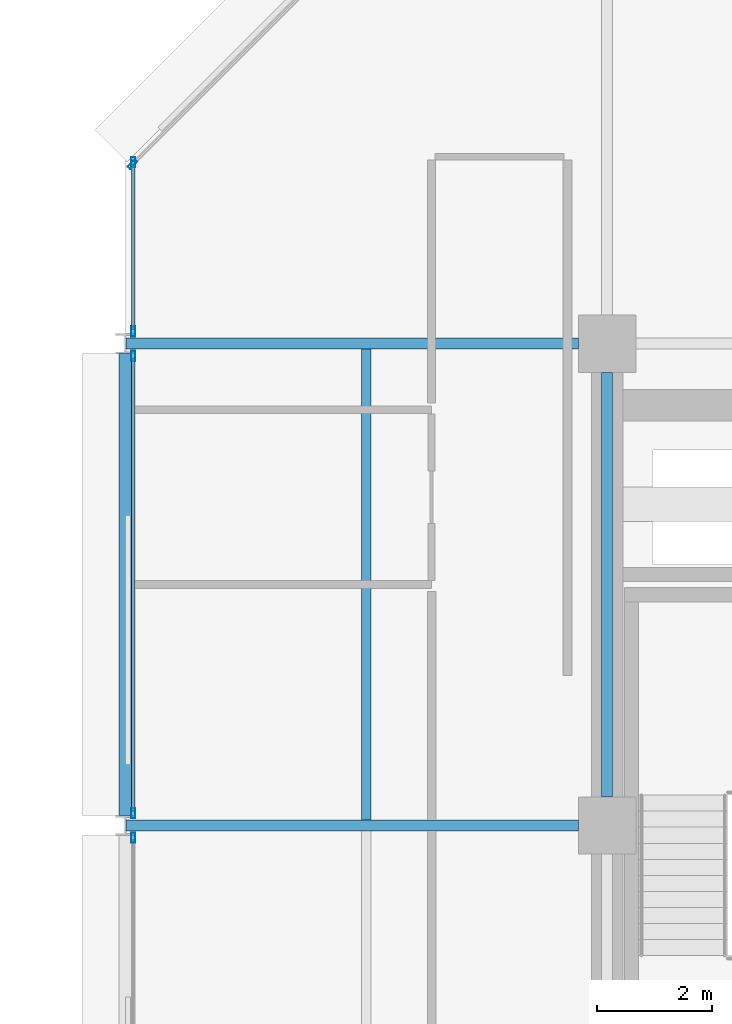
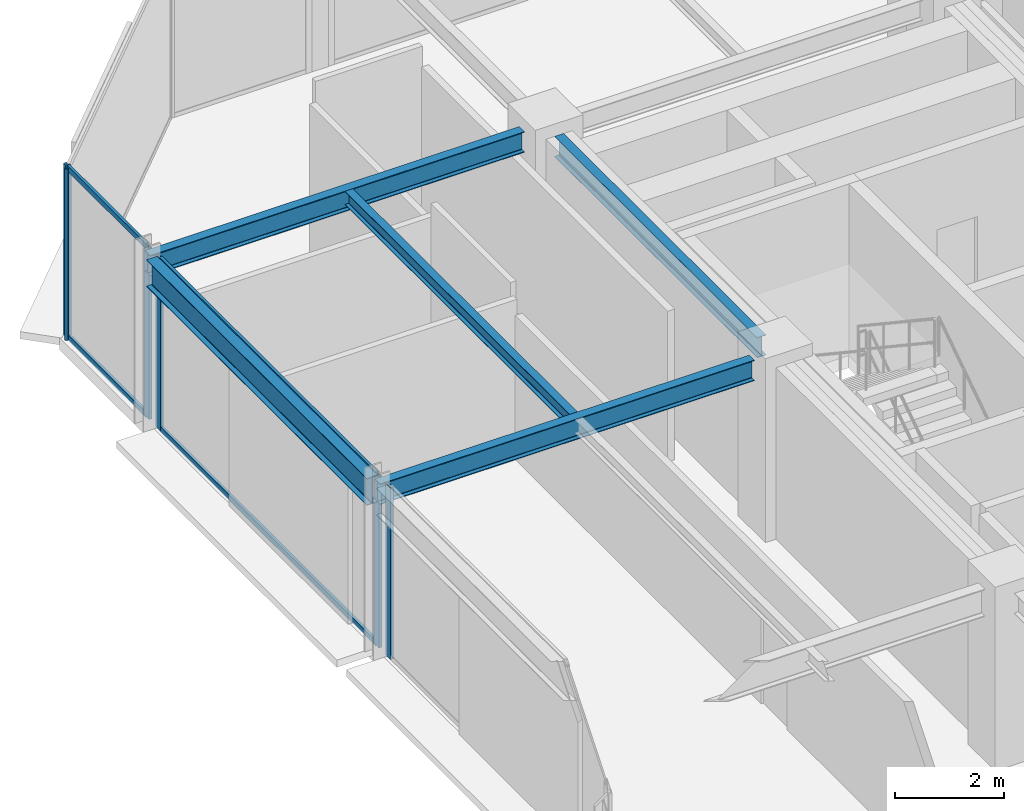
# One storey, part 17 of 29: 10 members, 5 beams, 4 elements without a shape of their own.
"""IFC4 building model written with IfcOpenShell, lengths in metres."""

from ifc_helpers import new_model, si_unit, direction, frame, origin, origin_2d, place, context, subcontext, project, spatial, hollow_rectangle, i_section, extrude, material, layer, layer_set, material_profile, profile_set, type_object, element, aggregate, save


model = new_model("IFC4")

# Units and contexts
model_context = context("Model", 3, precision=1e-05, world=origin(), true_north=direction((0.0, 1.0)))
body_context = subcontext(model_context, "Body", "Model", "MODEL_VIEW")
ifc_project = project(units=[si_unit("LENGTHUNIT", "METRE"), si_unit("AREAUNIT", "SQUARE_METRE"), si_unit("VOLUMEUNIT", "CUBIC_METRE"), si_unit("PLANEANGLEUNIT", "RADIAN"), si_unit("MASSUNIT", "GRAM", prefix="KILO")], contexts=[model_context])

# Site, building, storey
site_placement = place(None, origin())
site = spatial("IfcSite", under=ifc_project, at=site_placement, CompositionType="ELEMENT")
building_placement = place(site_placement, origin())
building = spatial("IfcBuilding", under=site, at=building_placement, Name="Nerrivon Quay Data Exchange", CompositionType="ELEMENT")
storey_placement = place(building_placement, frame((0.0, 0.0, 204.199951171875)))
storey = spatial("IfcBuildingStorey", under=building, at=storey_placement, Name="L48", CompositionType="ELEMENT", Elevation=204.199951171875)

# Beams
ifc_material_1 = material(Name="Steel Grade 350", Category="steel")
ifc_material_profile_1 = material_profile(ifc_material_1, i_section(OverallWidth=0.22802734375, OverallDepth=0.60205078125, WebThickness=0.010498046875, FlangeThickness=0.014892578125, FilletRadius=0.013916015625, at=origin_2d()), Name="610UB101")
ifc_profile_set_1 = profile_set([ifc_material_profile_1], Name="Steel Grade 350")
beam_type_1 = type_object("IfcBeamType", Name="BM-G2-610UB101", PredefinedType="BEAM", material=ifc_profile_set_1)
beam_1_placement = place(storey_placement, frame((0.0, 33.77490234375, 3.524169921875), z_axis=(0.0, 1.0, 0.0), x_axis=(-1.0, 0.0, 0.0)))
element("IfcBeam", 1, at=beam_1_placement, inside=storey, type_object=beam_type_1, Name="L48 NS Girder X=0.0 (33.6..42.0)", PredefinedType="BEAM", context=body_context, shape_type="SweptSolid", body=[
    extrude(i_section(OverallWidth=0.22802734375, OverallDepth=0.60205078125, WebThickness=0.010498046875, FlangeThickness=0.014892578125, FilletRadius=0.013916015625, at=origin_2d()), origin(), (0.0, 0.0, 1.0), 8.050048828125),
])
ifc_material_profile_2 = material_profile(ifc_material_1, i_section(OverallWidth=0.19091796875, OverallDepth=0.4599609375, WebThickness=0.010009765625, FlangeThickness=0.01611328125, FilletRadius=0.011474609375, at=origin_2d()), Name="460UB82.1")
ifc_profile_set_2 = profile_set([ifc_material_profile_2], Name="Steel Grade 350")
beam_type_2 = type_object("IfcBeamType", Name="BM-G5-460UB82", PredefinedType="BEAM", material=ifc_profile_set_2)
for number, where, z_axis, x_axis, name in (
    (2, (0.010009765625, 33.60009765625, 3.594970703125), (1.0, 0.0, 0.0), (0.0, 1.0, 0.0), "L48 EW Girder Y=33.6 (0.0..8.4)"),
    (3, (0.010009765625, 42.0, 3.594970703125), (1.0, 0.0, 0.0), (0.0, 1.0, 0.0), "L48 EW Girder Y=42.0 (0.0..8.4)"),
):
    element("IfcBeam", number, at=place(storey_placement, frame(where, z_axis=z_axis, x_axis=x_axis)), inside=storey, type_object=beam_type_2, Name=name, PredefinedType="BEAM", context=body_context, shape_type="SweptSolid", body=[
        extrude(i_section(OverallWidth=0.19091796875, OverallDepth=0.4599609375, WebThickness=0.010009765625, FlangeThickness=0.01611328125, FilletRadius=0.011474609375, at=origin_2d()), origin(), (0.0, 0.0, 1.0), 7.889892578125),
    ])
ifc_material_profile_3 = material_profile(ifc_material_1, i_section(OverallWidth=0.18994140625, OverallDepth=0.4541015625, WebThickness=0.008544921875, FlangeThickness=0.0126953125, FilletRadius=0.011474609375, at=origin_2d()), Name="460UB67.1")
ifc_profile_set_3 = profile_set([ifc_material_profile_3], Name="Steel Grade 350")
beam_type_3 = type_object("IfcBeamType", Name="BM-G6-460UB67", PredefinedType="BEAM", material=ifc_profile_set_3)
beam_2_placement = place(storey_placement, frame((8.39990234375, 34.10009765625, 3.59814453125), z_axis=(0.0, 1.0, 0.0), x_axis=(-1.0, 0.0, 0.0)))
element("IfcBeam", 4, at=beam_2_placement, inside=storey, type_object=beam_type_3, Name="L48 NS Girder X=8.4 (33.6..42.0)", PredefinedType="BEAM", context=body_context, shape_type="SweptSolid", body=[
    extrude(i_section(OverallWidth=0.18994140625, OverallDepth=0.4541015625, WebThickness=0.008544921875, FlangeThickness=0.0126953125, FilletRadius=0.011474609375, at=origin_2d()), origin(), (0.0, 0.0, 1.0), 7.39990234375),
])
ifc_material_profile_4 = material_profile(ifc_material_1, i_section(OverallWidth=0.166015625, OverallDepth=0.306884765625, WebThickness=0.006591796875, FlangeThickness=0.01171875, FilletRadius=0.011474609375, at=origin_2d()), Name="310UB46.2")
ifc_profile_set_4 = profile_set([ifc_material_profile_4], Name="Steel Grade 350")
beam_type_4 = type_object("IfcBeamType", Name="BM-J5-310UB46", PredefinedType="JOIST", material=ifc_profile_set_4)
beam_3_placement = place(storey_placement, frame((4.199951171875, 33.695556640625, 3.671630859375), z_axis=(0.0, 1.0, 0.0), x_axis=(-1.0, 0.0, 0.0)))
element("IfcBeam", 5, at=beam_3_placement, inside=storey, type_object=beam_type_4, Name="L48 Secondary Joist X=4.2 (33.6..42.0)", PredefinedType="JOIST", context=body_context, shape_type="SweptSolid", body=[
    extrude(i_section(OverallWidth=0.166015625, OverallDepth=0.306884765625, WebThickness=0.006591796875, FlangeThickness=0.01171875, FilletRadius=0.011474609375, at=origin_2d()), origin(), (0.0, 0.0, 1.0), 8.208984375),
])

# Curtain wall, member
ifc_material_2 = material(Name="Anodised aluminium 6063-T6", Category="aluminium")
ifc_layer = layer(ifc_material_2, 0.195068359375)
ifc_layer_set = layer_set([ifc_layer], Name="Anodised aluminium 6063-T6")
curtain_wall_type = type_object("IfcCurtainWallType", Name="CW-SYS-06", PredefinedType="NOTDEFINED", material=ifc_layer_set)
curtain_wall_1_placement = place(storey_placement, origin())
curtain_wall_1 = element("IfcCurtainWall", 6, at=curtain_wall_1_placement, inside=storey, type_object=curtain_wall_type, Name="L48 Unitised Curtain Wall 4", PredefinedType="NOTDEFINED")
ifc_material_profile_5 = material_profile(ifc_material_2, hollow_rectangle(XDim=0.06494140625, YDim=0.179931640625, WallThickness=0.00341796875, at=origin_2d()), Name="ALU-MULL-180x65")
ifc_profile_set_5 = profile_set([ifc_material_profile_5], Name="Anodised aluminium 6063-T6")
member_type_1 = type_object("IfcMemberType", Name="CWM-180x65", PredefinedType="MULLION", material=ifc_profile_set_5)
member_1_placement = place(storey_placement, frame((0.139892578125, 33.387451171875, 0.0), z_axis=(0.0, 0.0, 1.0), x_axis=(-1.0, 0.0, 0.0)))
member_1 = element("IfcMember", 7, at=member_1_placement, type_object=member_type_1, Name="CW06 mullion 2", PredefinedType="MULLION", context=body_context, shape_type="SweptSolid", body=[
    extrude(hollow_rectangle(XDim=0.06494140625, YDim=0.179931640625, WallThickness=0.00341796875, at=origin_2d()), origin(), (0.0, 0.0, 1.0), 3.824951171875),
])
aggregate(curtain_wall_1, [member_1])

# Curtain wall, members
curtain_wall_2_placement = place(storey_placement, origin())
curtain_wall_2 = element("IfcCurtainWall", 8, at=curtain_wall_2_placement, inside=storey, type_object=curtain_wall_type, Name="L48 Unitised Curtain Wall 5", PredefinedType="NOTDEFINED")
member_2_placement = place(storey_placement, frame((0.139892578125, 33.8125, 0.0), z_axis=(0.0, 0.0, 1.0), x_axis=(-1.0, 0.0, 0.0)))
member_2 = element("IfcMember", 9, at=member_2_placement, type_object=member_type_1, Name="CW06 mullion 1", PredefinedType="MULLION", context=body_context, shape_type="SweptSolid", body=[
    extrude(hollow_rectangle(XDim=0.06494140625, YDim=0.179931640625, WallThickness=0.00341796875, at=origin_2d()), origin(), (0.0, 0.0, 1.0), 3.824951171875),
])
member_3_placement = place(storey_placement, frame((0.139892578125, 41.78759765625, 0.0), z_axis=(0.0, 0.0, 1.0), x_axis=(-1.0, 0.0, 0.0)))
member_3 = element("IfcMember", 10, at=member_3_placement, type_object=member_type_1, Name="CW06 mullion 2", PredefinedType="MULLION", context=body_context, shape_type="SweptSolid", body=[
    extrude(hollow_rectangle(XDim=0.06494140625, YDim=0.179931640625, WallThickness=0.00341796875, at=origin_2d()), origin(), (0.0, 0.0, 1.0), 3.824951171875),
])

curtain_wall_3_placement = place(storey_placement, origin())
curtain_wall_3 = element("IfcCurtainWall", 11, at=curtain_wall_3_placement, inside=storey, type_object=curtain_wall_type, Name="L48 Unitised Curtain Wall 6", PredefinedType="NOTDEFINED")
member_4_placement = place(storey_placement, frame((0.139892578125, 42.21240234375, 0.0), z_axis=(0.0, 0.0, 1.0), x_axis=(-1.0, 0.0, 0.0)))
member_4 = element("IfcMember", 12, at=member_4_placement, type_object=member_type_1, Name="CW06 mullion 1", PredefinedType="MULLION", context=body_context, shape_type="SweptSolid", body=[
    extrude(hollow_rectangle(XDim=0.06494140625, YDim=0.179931640625, WallThickness=0.00341796875, at=origin_2d()), origin(), (0.0, 0.0, 1.0), 3.824951171875),
])
member_5_placement = place(storey_placement, frame((0.139892578125, 45.16259765625, 0.0), z_axis=(0.0, 0.0, 1.0), x_axis=(-1.0, 0.0, 0.0)))
member_5 = element("IfcMember", 13, at=member_5_placement, type_object=member_type_1, Name="CW06 mullion 2", PredefinedType="MULLION", context=body_context, shape_type="SweptSolid", body=[
    extrude(hollow_rectangle(XDim=0.06494140625, YDim=0.179931640625, WallThickness=0.00341796875, at=origin_2d()), origin(), (0.0, 0.0, 1.0), 3.824951171875),
])

# Curtain wall, member
curtain_wall_4_placement = place(storey_placement, origin())
curtain_wall_4 = element("IfcCurtainWall", 14, at=curtain_wall_4_placement, inside=storey, type_object=curtain_wall_type, Name="L48 Unitised Curtain Wall 7", PredefinedType="NOTDEFINED")
member_6_placement = place(storey_placement, frame((0.12548828125, 45.12744140625, 0.0), z_axis=(0.0, 0.0, 1.0), x_axis=(-0.707106781187, 0.707106781187, 0.0)))
member_6 = element("IfcMember", 15, at=member_6_placement, type_object=member_type_1, Name="CW06 mullion 1", PredefinedType="MULLION", context=body_context, shape_type="SweptSolid", body=[
    extrude(hollow_rectangle(XDim=0.06494140625, YDim=0.179931640625, WallThickness=0.00341796875, at=origin_2d()), origin(), (0.0, 0.0, 1.0), 3.824951171875),
])
aggregate(curtain_wall_4, [member_6])

# Member
ifc_material_profile_6 = material_profile(ifc_material_2, hollow_rectangle(XDim=0.06005859375, YDim=0.1201171875, WallThickness=0.003173828125, at=origin_2d()), Name="ALU-TRAN-120x60")
ifc_profile_set_6 = profile_set([ifc_material_profile_6], Name="Anodised aluminium 6063-T6")
member_type_2 = type_object("IfcMemberType", Name="CWT-120x60", PredefinedType="USERDEFINED", material=ifc_profile_set_6)
member_7_placement = place(storey_placement, frame((0.139892578125, 33.85009765625, 0.032470703125), z_axis=(0.0, 1.0, 0.0), x_axis=(-1.0, 0.0, 0.0)))
member_7 = element("IfcMember", 16, at=member_7_placement, type_object=member_type_2, Name="CW06 transom 1.1", ObjectType="TRANSOM", PredefinedType="USERDEFINED", context=body_context, shape_type="SweptSolid", body=[
    extrude(hollow_rectangle(XDim=0.06005859375, YDim=0.1201171875, WallThickness=0.003173828125, at=origin_2d()), origin(), (0.0, 0.0, 1.0), 7.89990234375),
])

member_8_placement = place(storey_placement, frame((0.139892578125, 33.85009765625, 3.79248046875), z_axis=(0.0, 1.0, 0.0), x_axis=(-1.0, 0.0, 0.0)))
member_8 = element("IfcMember", 17, at=member_8_placement, type_object=member_type_2, Name="CW06 transom 1.2", ObjectType="TRANSOM", PredefinedType="USERDEFINED", context=body_context, shape_type="SweptSolid", body=[
    extrude(hollow_rectangle(XDim=0.06005859375, YDim=0.1201171875, WallThickness=0.003173828125, at=origin_2d()), origin(), (0.0, 0.0, 1.0), 7.89990234375),
])

aggregate(curtain_wall_2, [member_2, member_3, member_7, member_8])

member_9_placement = place(storey_placement, frame((0.139892578125, 42.25, 0.032470703125), z_axis=(0.0, 1.0, 0.0), x_axis=(-1.0, 0.0, 0.0)))
member_9 = element("IfcMember", 18, at=member_9_placement, type_object=member_type_2, Name="CW06 transom 1.1", ObjectType="TRANSOM", PredefinedType="USERDEFINED", context=body_context, shape_type="SweptSolid", body=[
    extrude(hollow_rectangle(XDim=0.06005859375, YDim=0.1201171875, WallThickness=0.003173828125, at=origin_2d()), origin(), (0.0, 0.0, 1.0), 2.875),
])

member_10_placement = place(storey_placement, frame((0.139892578125, 42.25, 3.79248046875), z_axis=(0.0, 1.0, 0.0), x_axis=(-1.0, 0.0, 0.0)))
member_10 = element("IfcMember", 19, at=member_10_placement, type_object=member_type_2, Name="CW06 transom 1.2", ObjectType="TRANSOM", PredefinedType="USERDEFINED", context=body_context, shape_type="SweptSolid", body=[
    extrude(hollow_rectangle(XDim=0.06005859375, YDim=0.1201171875, WallThickness=0.003173828125, at=origin_2d()), origin(), (0.0, 0.0, 1.0), 2.875),
])

aggregate(curtain_wall_3, [member_4, member_5, member_9, member_10])

save(model, "model.ifc")
